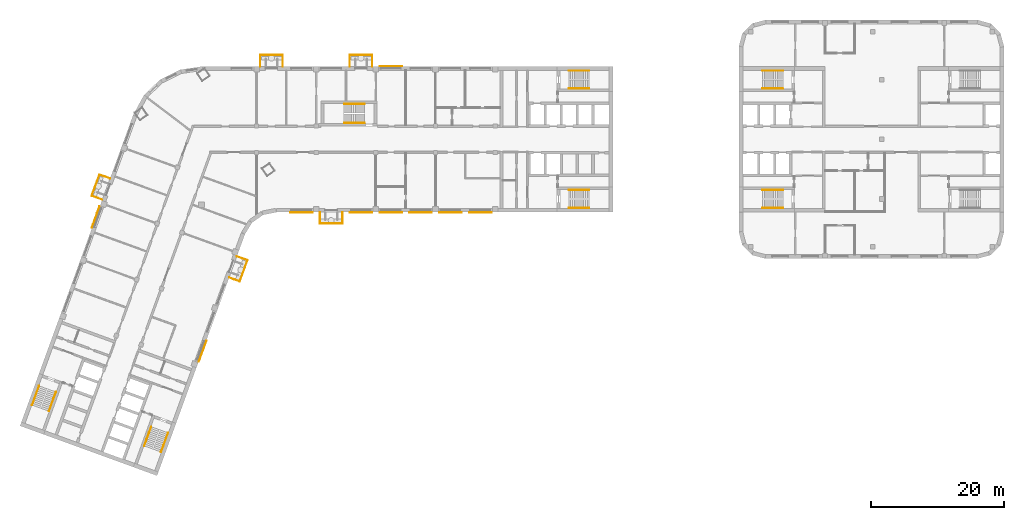
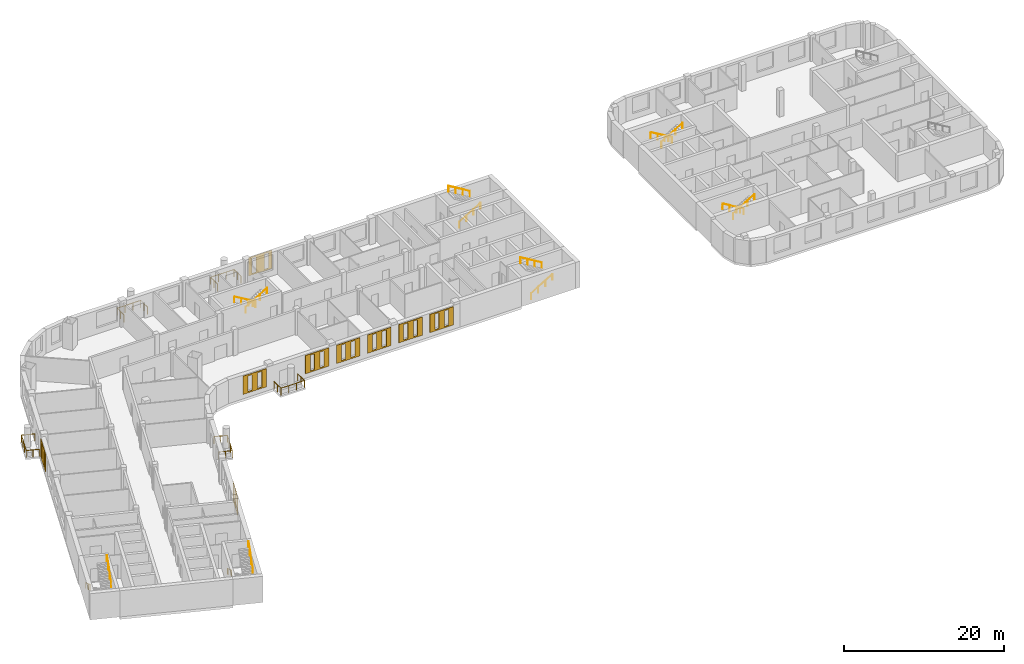
# One storey, part 13 of 16: 19 railings, 9 coverings.
"""IFC4 building model written with IfcOpenShell, lengths in metres."""

import ifcopenshell
import ifcopenshell.guid

model = None  # the IFC model being written
_history = None  # IfcOwnerHistory: only IFC2X3 demands one
_inside = {}  # id of a spatial element -> (the spatial element, [elements in it])
_under = {}  # id of a project, library or spatial element -> (it, [spatial elements below it])
_declared = {}  # id of a project -> (the project, [libraries it declares])
_typed = {}  # id of a type object -> (the type object, [elements of that type])
_made_of = {}  # id of a material, layer set ... -> (it, [elements and type objects made of it])


def new_model(schema):
    """Start an empty IFC model of exactly this schema.

    Asked for "IFC4X3", IfcOpenShell would pick the latest addendum, in which some entities
    have other attributes; the version numbers below select the first issue.
    IFC2X3 requires an IfcOwnerHistory on every rooted entity: one is made here for all.
    """
    global model, _history
    if schema == "IFC4X3":
        model = ifcopenshell.file(schema_version=(4, 3, 0, 0))
    else:
        model = ifcopenshell.file(schema=schema)
    _inside.clear()
    _under.clear()
    _declared.clear()
    _typed.clear()
    _made_of.clear()
    _history = None
    if model.schema == "IFC2X3":
        org = make("IfcOrganization", Name="unknown")
        user = make(
            "IfcPersonAndOrganization",
            ThePerson=make("IfcPerson", FamilyName="unknown"),
            TheOrganization=org,
        )
        app = make(
            "IfcApplication",
            ApplicationDeveloper=org,
            Version="unknown",
            ApplicationFullName="unknown",
            ApplicationIdentifier="unknown",
        )
        _history = make(
            "IfcOwnerHistory",
            OwningUser=user,
            OwningApplication=app,
            ChangeAction="ADDED",
            CreationDate=0,
        )
    return model


def make(cls, **values):
    """One entity of the class cls with the attributes given. An attribute that is None is left unset."""
    return model.create_entity(
        cls, **{name: value for name, value in values.items() if value is not None}
    )


def rooted(cls, **values):
    """An entity with a GlobalId (a new one), such as an element, a storey or a relation."""
    return make(cls, GlobalId=ifcopenshell.guid.new(), OwnerHistory=_history, **values)


def si_unit(unit_type, name, prefix=None):
    """IfcSIUnit, for example si_unit("LENGTHUNIT", "METRE", prefix="MILLI")."""
    return make("IfcSIUnit", UnitType=unit_type, Prefix=prefix, Name=name)


def assignment(units):
    """IfcUnitAssignment: the units of a project."""
    return None if units is None else make("IfcUnitAssignment", Units=units)


def point(xyz):
    """IfcCartesianPoint."""
    return None if xyz is None else make("IfcCartesianPoint", Coordinates=xyz)


def direction(xyz):
    """IfcDirection."""
    return None if xyz is None else make("IfcDirection", DirectionRatios=xyz)


def frame(location, z_axis=None, x_axis=None):
    """IfcAxis2Placement3D, a coordinate frame: its origin and axes. An axis left out is left unset."""
    return make(
        "IfcAxis2Placement3D",
        Location=point(location),
        Axis=direction(z_axis),
        RefDirection=direction(x_axis),
    )


def frame_2d(location, x_axis=None):
    """IfcAxis2Placement2D, a coordinate frame in the plane: its origin and x axis."""
    return make(
        "IfcAxis2Placement2D", Location=point(location), RefDirection=direction(x_axis)
    )


def origin():
    """The frame at (0, 0, 0) with its axes left unset."""
    return frame((0.0, 0.0, 0.0))


def origin_2d():
    """The frame at (0, 0) in the plane with its x axis left unset."""
    return frame_2d((0.0, 0.0))


def place(relative_to, where):
    """IfcLocalPlacement: puts the frame where relative to a parent placement (None: the world)."""
    return make(
        "IfcLocalPlacement", PlacementRelTo=relative_to, RelativePlacement=where
    )


def context(
    kind, dimensions, precision=None, world=None, true_north=None, identifier=None
):
    """IfcGeometricRepresentationContext, for example the 3D "Model" context."""
    return make(
        "IfcGeometricRepresentationContext",
        ContextIdentifier=identifier,
        ContextType=kind,
        CoordinateSpaceDimension=dimensions,
        Precision=precision,
        WorldCoordinateSystem=world,
        TrueNorth=true_north,
    )


def subcontext(parent, identifier, kind, view, scale=None):
    """IfcGeometricRepresentationSubContext, for example "Body" below "Model"."""
    return make(
        "IfcGeometricRepresentationSubContext",
        ContextIdentifier=identifier,
        ContextType=kind,
        ParentContext=parent,
        TargetScale=scale,
        TargetView=view,
    )


def project(units=None, contexts=None):
    """IfcProject with its units and contexts."""
    return rooted(
        "IfcProject",
        Name="project",
        RepresentationContexts=contexts,
        UnitsInContext=assignment(units),
    )


def spatial(cls, under=None, at=None, **own):
    """A site, building, storey or space (cls), placed at a placement, below another one or the project."""
    s = rooted(cls, ObjectPlacement=at, **own)
    if under is not None:
        _under.setdefault(under.id(), (under, []))[1].append(s)
    return s


def polyline(points):
    """IfcPolyline through the points."""
    return make("IfcPolyline", Points=[point(p) for p in points])


def profile(cls, at=None, kind="AREA", **sizes):
    """A parametric profile (cls). Its sizes go by their IFC names, for example OverallWidth=200.0."""
    return make(cls, ProfileType=kind, Position=at, **sizes)


def circle(**sizes):
    """IfcCircleProfileDef."""
    return profile("IfcCircleProfileDef", **sizes)


def outline(outer, holes=None, kind="AREA"):
    """IfcArbitraryClosedProfileDef: a profile drawn as a closed curve; with holes, ...WithVoids."""
    if holes is None:
        return make("IfcArbitraryClosedProfileDef", ProfileType=kind, OuterCurve=outer)
    return make(
        "IfcArbitraryProfileDefWithVoids",
        ProfileType=kind,
        OuterCurve=outer,
        InnerCurves=holes,
    )


def extrude(swept, where, along, depth):
    """IfcExtrudedAreaSolid: the profile swept, set in the frame where, extruded along a direction by depth."""
    return make(
        "IfcExtrudedAreaSolid",
        SweptArea=swept,
        Position=where,
        ExtrudedDirection=direction(along),
        Depth=depth,
    )


def shape(context_of_items, identifier, shape_type, items):
    """IfcShapeRepresentation: the items that make up one representation, for example the "Body"."""
    return make(
        "IfcShapeRepresentation",
        ContextOfItems=context_of_items,
        RepresentationIdentifier=identifier,
        RepresentationType=shape_type,
        Items=items,
    )


def material(Name=None, Category=None):
    """IfcMaterial."""
    return make("IfcMaterial", Name=Name, Category=Category)


def material_profile(
    of_material, cross_section, Name=None, Category=None, Priority=None
):
    """IfcMaterialProfile: a cross section and its material."""
    return make(
        "IfcMaterialProfile",
        Name=Name,
        Material=of_material,
        Profile=cross_section,
        Priority=Priority,
        Category=Category,
    )


def profile_set(profiles, Name=None, composite=None):
    """IfcMaterialProfileSet."""
    return make(
        "IfcMaterialProfileSet",
        Name=Name,
        MaterialProfiles=profiles,
        CompositeProfile=composite,
    )


def made_of(thing, what):
    """Note that an element or type object is made of a material, layer set ...; save() writes the relation."""
    if what is not None:
        _made_of.setdefault(what.id(), (what, []))[1].append(thing)
    return thing


def type_object(cls, material=None, **own):
    """A type object (cls), such as IfcWallType, which elements share."""
    return made_of(rooted(cls, **own), material)


def element(
    cls,
    number,
    at=None,
    inside=None,
    cuts=None,
    type_object=None,
    material=None,
    context=None,
    identifier="Body",
    shape_type=None,
    held_by="IfcProductDefinitionShape",
    body=None,
    shapes=None,
    **own,
):
    """One element of the class cls, such as IfcWall. Its Tag is "e" and its number.

    at: its placement. inside: the storey or other place that contains it. cuts: it is an
    opening in that element (IfcRelVoidsElement). A single representation is given by context,
    identifier, shape_type and body (its items); several are given by shapes. held_by: the class
    of the entity that holds the representations. save() writes the other relations.
    """
    e = rooted(cls, Tag="e%d" % number, ObjectPlacement=at, **own)
    if body is not None:
        shapes = [shape(context, identifier, shape_type, body)]
    if shapes is not None:
        e.Representation = make(held_by, Representations=shapes)
    if inside is not None:
        _inside.setdefault(inside.id(), (inside, []))[1].append(e)
    if cuts is not None:
        rooted(
            "IfcRelVoidsElement", RelatingBuildingElement=cuts, RelatedOpeningElement=e
        )
    if type_object is not None:
        _typed.setdefault(type_object.id(), (type_object, []))[1].append(e)
    return made_of(e, material)


def aggregate(whole, parts):
    """IfcRelAggregates: a whole, such as a stair, and the parts it consists of."""
    return rooted("IfcRelAggregates", RelatingObject=whole, RelatedObjects=parts)


def save(model, path):
    """Write the relations noted so far, then the file.

    IfcRelAggregates (storeys below a building ...), IfcRelContainedInSpatialStructure (elements
    in a storey), IfcRelDefinesByType, IfcRelAssociatesMaterial and IfcRelDeclares: one each for
    every whole, place, type object, material and project.
    """
    for whole, parts in _under.values():
        aggregate(whole, parts)
    for where, things in _inside.values():
        rooted(
            "IfcRelContainedInSpatialStructure",
            RelatedElements=things,
            RelatingStructure=where,
        )
    for kind, things in _typed.values():
        rooted("IfcRelDefinesByType", RelatedObjects=things, RelatingType=kind)
    for what, things in _made_of.values():
        rooted("IfcRelAssociatesMaterial", RelatedObjects=things, RelatingMaterial=what)
    for by, libraries in _declared.values():
        rooted("IfcRelDeclares", RelatingContext=by, RelatedDefinitions=libraries)
    model.write(path)


model = new_model("IFC4")

# Units and contexts
model_context = context("Model", 3, precision=1e-05, world=origin(), true_north=direction((0.0, 1.0)))
body_context = subcontext(model_context, "Body", "Model", "MODEL_VIEW")
ifc_project = project(units=[si_unit("LENGTHUNIT", "METRE"), si_unit("AREAUNIT", "SQUARE_METRE"), si_unit("VOLUMEUNIT", "CUBIC_METRE"), si_unit("PLANEANGLEUNIT", "RADIAN"), si_unit("MASSUNIT", "GRAM", prefix="KILO")], contexts=[model_context])

# Site, building, storey
site_placement = place(None, origin())
site = spatial("IfcSite", under=ifc_project, at=site_placement, CompositionType="ELEMENT")
building_placement = place(site_placement, origin())
building = spatial("IfcBuilding", under=site, at=building_placement, Name="Skarvind Civic Tower", CompositionType="ELEMENT")
storey_placement = place(building_placement, frame((0.0, 0.0, 81.0)))
storey = spatial("IfcBuildingStorey", under=building, at=storey_placement, Name="L18", CompositionType="ELEMENT", Elevation=81.0)

# Railings
ifc_material_1 = material(Name="Stainless steel balustrade", Category="steel")
railing_type_1 = type_object("IfcRailingType", Name="GR1 GUARD 1100", PredefinedType="GUARDRAIL", material=ifc_material_1)
railing_1_placement = place(storey_placement, frame((51.274658203125, 110.330322265625, 0.0)))
element("IfcRailing", 1, at=railing_1_placement, inside=storey, type_object=railing_type_1, Name="TREE BALCONY GUARD", PredefinedType="GUARDRAIL", context=body_context, shape_type="SweptSolid", body=[
    extrude(circle(Radius=0.02392578125, at=origin_2d()), frame((0.0, 0.0, 1.076171875), z_axis=(0.939684369409, -0.342042812948, 0.0), x_axis=(0.342042812948, 0.939684369409, 0.0)), (0.0, 0.0, 1.0), 1.7001953125),
    extrude(circle(Radius=0.02392578125, at=origin_2d()), frame((1.59765625, -0.58154296875, 1.076171875), z_axis=(-0.342088971896, -0.93966756638, 0.0), x_axis=(0.93966756638, -0.342088971896, 0.0)), (0.0, 0.0, 1.0), 3.39990234375),
    extrude(circle(Radius=0.02392578125, at=origin_2d()), frame((0.4345703125, -3.7763671875, 1.076171875), z_axis=(-0.93966756638, 0.342088971896, 0.0), x_axis=(-0.342088971896, -0.93966756638, 0.0)), (0.0, 0.0, 1.0), 1.699951171875),
    extrude(circle(Radius=0.02099609375, at=origin_2d()), origin(), (0.0, 0.0, 1.0), 1.052001953125),
    extrude(circle(Radius=0.02099609375, at=origin_2d()), frame((0.798828125, -0.290771484375, 0.0)), (0.0, 0.0, 1.0), 1.052001953125),
    extrude(circle(Radius=0.02099609375, at=origin_2d()), frame((1.59765625, -0.58154296875, 0.0)), (0.0, 0.0, 1.0), 1.052001953125),
    extrude(circle(Radius=0.02099609375, at=origin_2d()), frame((1.2099609375, -1.646484375, 0.0)), (0.0, 0.0, 1.0), 1.052001953125),
    extrude(circle(Radius=0.02099609375, at=origin_2d()), frame((0.822265625, -2.71142578125, 0.0)), (0.0, 0.0, 1.0), 1.052001953125),
    extrude(circle(Radius=0.02099609375, at=origin_2d()), frame((0.4345703125, -3.7763671875, 0.0)), (0.0, 0.0, 1.0), 1.052001953125),
    extrude(circle(Radius=0.02099609375, at=origin_2d()), frame((-0.3642578125, -3.485595703125, 0.0)), (0.0, 0.0, 1.0), 1.052001953125),
    extrude(circle(Radius=0.02099609375, at=origin_2d()), frame((-1.162841796875, -3.19482421875, 0.0)), (0.0, 0.0, 1.0), 1.052001953125),
])
railing_2_placement = place(storey_placement, frame((67.199951171875, 117.0, 0.0)))
element("IfcRailing", 2, at=railing_2_placement, inside=storey, type_object=railing_type_1, Name="TREE BALCONY GUARD", PredefinedType="GUARDRAIL", context=body_context, shape_type="SweptSolid", body=[
    extrude(circle(Radius=0.02392578125, at=origin_2d()), frame((0.0, 0.0, 1.076171875), z_axis=(0.0, -1.0, 0.0), x_axis=(1.0, 0.0, 0.0)), (0.0, 0.0, 1.0), 1.699951171875),
    extrude(circle(Radius=0.02392578125, at=origin_2d()), frame((0.0, -1.699951171875, 1.076171875), z_axis=(-1.0, 0.0, 0.0), x_axis=(0.0, -1.0, 0.0)), (0.0, 0.0, 1.0), 3.39990234375),
    extrude(circle(Radius=0.02392578125, at=origin_2d()), frame((-3.39990234375, -1.699951171875, 1.076171875), z_axis=(0.0, 1.0, 0.0), x_axis=(-1.0, 0.0, 0.0)), (0.0, 0.0, 1.0), 1.699951171875),
    extrude(circle(Radius=0.02099609375, at=origin_2d()), origin(), (0.0, 0.0, 1.0), 1.052001953125),
    extrude(circle(Radius=0.02099609375, at=origin_2d()), frame((0.0, -0.85009765625, 0.0)), (0.0, 0.0, 1.0), 1.052001953125),
    extrude(circle(Radius=0.02099609375, at=origin_2d()), frame((0.0, -1.699951171875, 0.0)), (0.0, 0.0, 1.0), 1.052001953125),
    extrude(circle(Radius=0.02099609375, at=origin_2d()), frame((-1.13330078125, -1.699951171875, 0.0)), (0.0, 0.0, 1.0), 1.052001953125),
    extrude(circle(Radius=0.02099609375, at=origin_2d()), frame((-2.2666015625, -1.699951171875, 0.0)), (0.0, 0.0, 1.0), 1.052001953125),
    extrude(circle(Radius=0.02099609375, at=origin_2d()), frame((-3.39990234375, -1.699951171875, 0.0)), (0.0, 0.0, 1.0), 1.052001953125),
    extrude(circle(Radius=0.02099609375, at=origin_2d()), frame((-3.39990234375, -0.85009765625, 0.0)), (0.0, 0.0, 1.0), 1.052001953125),
    extrude(circle(Radius=0.02099609375, at=origin_2d()), frame((-3.39990234375, 0.0, 0.0)), (0.0, 0.0, 1.0), 1.052001953125),
])
for number, where, name in (
    (3, (54.800048828125, 139.0, 0.0), "TREE BALCONY GUARD"),
    (4, (68.300048828125, 139.0, 0.0), "TREE BALCONY GUARD"),
):
    element("IfcRailing", number, at=place(storey_placement, frame(where)), inside=storey, type_object=railing_type_1, Name=name, PredefinedType="GUARDRAIL", context=body_context, shape_type="SweptSolid", body=[
        extrude(circle(Radius=0.02392578125, at=origin_2d()), frame((0.0, 0.0, 1.076171875), z_axis=(0.0, 1.0, 0.0), x_axis=(-1.0, 0.0, 0.0)), (0.0, 0.0, 1.0), 1.699951171875),
        extrude(circle(Radius=0.02392578125, at=origin_2d()), frame((0.0, 1.699951171875, 1.076171875), z_axis=(1.0, 0.0, 0.0), x_axis=(0.0, 1.0, 0.0)), (0.0, 0.0, 1.0), 3.39990234375),
        extrude(circle(Radius=0.02392578125, at=origin_2d()), frame((3.39990234375, 1.699951171875, 1.076171875), z_axis=(0.0, -1.0, 0.0), x_axis=(1.0, 0.0, 0.0)), (0.0, 0.0, 1.0), 1.699951171875),
        extrude(circle(Radius=0.02099609375, at=origin_2d()), origin(), (0.0, 0.0, 1.0), 1.052001953125),
        extrude(circle(Radius=0.02099609375, at=origin_2d()), frame((0.0, 0.85009765625, 0.0)), (0.0, 0.0, 1.0), 1.052001953125),
        extrude(circle(Radius=0.02099609375, at=origin_2d()), frame((0.0, 1.699951171875, 0.0)), (0.0, 0.0, 1.0), 1.052001953125),
        extrude(circle(Radius=0.02099609375, at=origin_2d()), frame((1.13330078125, 1.699951171875, 0.0)), (0.0, 0.0, 1.0), 1.052001953125),
        extrude(circle(Radius=0.02099609375, at=origin_2d()), frame((2.2666015625, 1.699951171875, 0.0)), (0.0, 0.0, 1.0), 1.052001953125),
        extrude(circle(Radius=0.02099609375, at=origin_2d()), frame((3.39990234375, 1.699951171875, 0.0)), (0.0, 0.0, 1.0), 1.052001953125),
        extrude(circle(Radius=0.02099609375, at=origin_2d()), frame((3.39990234375, 0.85009765625, 0.0)), (0.0, 0.0, 1.0), 1.052001953125),
        extrude(circle(Radius=0.02099609375, at=origin_2d()), frame((3.39990234375, 0.0, 0.0)), (0.0, 0.0, 1.0), 1.052001953125),
    ])
railing_3_placement = place(storey_placement, frame((30.977783203125, 118.888427734375, 0.0)))
element("IfcRailing", 5, at=railing_3_placement, inside=storey, type_object=railing_type_1, Name="TREE BALCONY GUARD", PredefinedType="GUARDRAIL", context=body_context, shape_type="SweptSolid", body=[
    extrude(circle(Radius=0.02392578125, at=origin_2d()), frame((0.0, 0.0, 1.076171875), z_axis=(-0.939684369409, 0.342042812948, 0.0), x_axis=(-0.342042812948, -0.939684369409, 0.0)), (0.0, 0.0, 1.0), 1.7001953125),
    extrude(circle(Radius=0.02392578125, at=origin_2d()), frame((-1.59765625, 0.58154296875, 1.076171875), z_axis=(0.342088971896, 0.93966756638, 0.0), x_axis=(-0.93966756638, 0.342088971896, 0.0)), (0.0, 0.0, 1.0), 3.39990234375),
    extrude(circle(Radius=0.02392578125, at=origin_2d()), frame((-0.4345703125, 3.7763671875, 1.076171875), z_axis=(0.939713724856, -0.341962154804, 0.0), x_axis=(0.341962154804, 0.939713724856, 0.0)), (0.0, 0.0, 1.0), 1.699951171875),
    extrude(circle(Radius=0.02099609375, at=origin_2d()), origin(), (0.0, 0.0, 1.0), 1.052001953125),
    extrude(circle(Radius=0.02099609375, at=origin_2d()), frame((-0.798828125, 0.290771484375, 0.0)), (0.0, 0.0, 1.0), 1.052001953125),
    extrude(circle(Radius=0.02099609375, at=origin_2d()), frame((-1.59765625, 0.58154296875, 0.0)), (0.0, 0.0, 1.0), 1.052001953125),
    extrude(circle(Radius=0.02099609375, at=origin_2d()), frame((-1.2099609375, 1.646484375, 0.0)), (0.0, 0.0, 1.0), 1.052001953125),
    extrude(circle(Radius=0.02099609375, at=origin_2d()), frame((-0.822265625, 2.71142578125, 0.0)), (0.0, 0.0, 1.0), 1.052001953125),
    extrude(circle(Radius=0.02099609375, at=origin_2d()), frame((-0.4345703125, 3.7763671875, 0.0)), (0.0, 0.0, 1.0), 1.052001953125),
    extrude(circle(Radius=0.02099609375, at=origin_2d()), frame((0.3642578125, 3.48583984375, 0.0)), (0.0, 0.0, 1.0), 1.052001953125),
    extrude(circle(Radius=0.02099609375, at=origin_2d()), frame((1.162841796875, 3.195068359375, 0.0)), (0.0, 0.0, 1.0), 1.052001953125),
])
ifc_material_2 = material(Name="Painted steel handrail", Category="steel")
railing_type_2 = type_object("IfcRailingType", Name="Stair handrail 900", PredefinedType="HANDRAIL", material=ifc_material_2)
railing_4_placement = place(storey_placement, frame((101.35009765625, 135.64990234375, 0.166748046875)))
element("IfcRailing", 6, at=railing_4_placement, inside=storey, type_object=railing_type_2, Name="Stair handrail", PredefinedType="HANDRAIL", context=body_context, shape_type="SweptSolid", body=[
    extrude(circle(Radius=0.02392578125, at=origin_2d()), frame((0.0, 0.0, 0.8759765625), z_axis=(0.859290745958, 0.0, 0.51148745235), x_axis=(0.0, 1.0, 0.0)), (0.0, 0.0, 1.0), 3.584228515625),
    extrude(circle(Radius=0.02099609375, at=origin_2d()), origin(), (0.0, 0.0, 1.0), 0.851806640625),
    extrude(circle(Radius=0.02099609375, at=origin_2d()), frame((1.026611328125, 0.0, 0.611083984375)), (0.0, 0.0, 1.0), 0.851806640625),
    extrude(circle(Radius=0.02099609375, at=origin_2d()), frame((2.05322265625, 0.0, 1.22216796875)), (0.0, 0.0, 1.0), 0.851806640625),
    extrude(circle(Radius=0.02099609375, at=origin_2d()), frame((3.079833984375, 0.0, 1.833251953125)), (0.0, 0.0, 1.0), 0.851806640625),
])
railing_5_placement = place(storey_placement, frame((104.429931640625, 138.35009765625, 2.166748046875)))
element("IfcRailing", 7, at=railing_5_placement, inside=storey, type_object=railing_type_2, Name="Stair handrail", PredefinedType="HANDRAIL", context=body_context, shape_type="SweptSolid", body=[
    extrude(circle(Radius=0.02392578125, at=origin_2d()), frame((0.0, 0.0, 0.8759765625), z_axis=(-0.859290745958, 0.0, 0.51148745235), x_axis=(0.0, -1.0, 0.0)), (0.0, 0.0, 1.0), 3.584228515625),
    extrude(circle(Radius=0.02099609375, at=origin_2d()), origin(), (0.0, 0.0, 1.0), 0.851806640625),
    extrude(circle(Radius=0.02099609375, at=origin_2d()), frame((-1.026611328125, 0.0, 0.611083984375)), (0.0, 0.0, 1.0), 0.851806640625),
    extrude(circle(Radius=0.02099609375, at=origin_2d()), frame((-2.05322265625, 0.0, 1.22216796875)), (0.0, 0.0, 1.0), 0.851806640625),
    extrude(circle(Radius=0.02099609375, at=origin_2d()), frame((-3.079833984375, 0.0, 1.833251953125)), (0.0, 0.0, 1.0), 0.851806640625),
])
railing_6_placement = place(storey_placement, frame((101.35009765625, 117.64990234375, 0.166748046875)))
element("IfcRailing", 8, at=railing_6_placement, inside=storey, type_object=railing_type_2, Name="Stair handrail", PredefinedType="HANDRAIL", context=body_context, shape_type="SweptSolid", body=[
    extrude(circle(Radius=0.02392578125, at=origin_2d()), frame((0.0, 0.0, 0.8759765625), z_axis=(0.859290745958, 0.0, 0.51148745235), x_axis=(0.0, 1.0, 0.0)), (0.0, 0.0, 1.0), 3.584228515625),
    extrude(circle(Radius=0.02099609375, at=origin_2d()), origin(), (0.0, 0.0, 1.0), 0.851806640625),
    extrude(circle(Radius=0.02099609375, at=origin_2d()), frame((1.026611328125, 0.0, 0.611083984375)), (0.0, 0.0, 1.0), 0.851806640625),
    extrude(circle(Radius=0.02099609375, at=origin_2d()), frame((2.05322265625, 0.0, 1.22216796875)), (0.0, 0.0, 1.0), 0.851806640625),
    extrude(circle(Radius=0.02099609375, at=origin_2d()), frame((3.079833984375, 0.0, 1.833251953125)), (0.0, 0.0, 1.0), 0.851806640625),
])
railing_7_placement = place(storey_placement, frame((104.429931640625, 120.35009765625, 2.166748046875)))
element("IfcRailing", 9, at=railing_7_placement, inside=storey, type_object=railing_type_2, Name="Stair handrail", PredefinedType="HANDRAIL", context=body_context, shape_type="SweptSolid", body=[
    extrude(circle(Radius=0.02392578125, at=origin_2d()), frame((0.0, 0.0, 0.8759765625), z_axis=(-0.859290745958, 0.0, 0.51148745235), x_axis=(0.0, -1.0, 0.0)), (0.0, 0.0, 1.0), 3.584228515625),
    extrude(circle(Radius=0.02099609375, at=origin_2d()), origin(), (0.0, 0.0, 1.0), 0.851806640625),
    extrude(circle(Radius=0.02099609375, at=origin_2d()), frame((-1.026611328125, 0.0, 0.611083984375)), (0.0, 0.0, 1.0), 0.851806640625),
    extrude(circle(Radius=0.02099609375, at=origin_2d()), frame((-2.05322265625, 0.0, 1.22216796875)), (0.0, 0.0, 1.0), 0.851806640625),
    extrude(circle(Radius=0.02099609375, at=origin_2d()), frame((-3.079833984375, 0.0, 1.833251953125)), (0.0, 0.0, 1.0), 0.851806640625),
])
railing_8_placement = place(storey_placement, frame((38.362060546875, 84.64794921875, 0.166748046875)))
element("IfcRailing", 10, at=railing_8_placement, inside=storey, type_object=railing_type_2, Name="Stair handrail", PredefinedType="HANDRAIL", context=body_context, shape_type="SweptSolid", body=[
    extrude(circle(Radius=0.02392578125, at=origin_2d()), frame((0.0, 0.0, 0.8759765625), z_axis=(-0.293908055923, -0.807480881337, 0.511461319103), x_axis=(0.939689235759, -0.342029443467, 0.0)), (0.0, 0.0, 1.0), 3.584228515625),
    extrude(circle(Radius=0.02099609375, at=origin_2d()), origin(), (0.0, 0.0, 1.0), 0.851806640625),
    extrude(circle(Radius=0.02099609375, at=origin_2d()), frame((-0.35107421875, -0.96484375, 0.611083984375)), (0.0, 0.0, 1.0), 0.851806640625),
    extrude(circle(Radius=0.02099609375, at=origin_2d()), frame((-0.702392578125, -1.929443359375, 1.22216796875)), (0.0, 0.0, 1.0), 0.851806640625),
    extrude(circle(Radius=0.02099609375, at=origin_2d()), frame((-1.053466796875, -2.894287109375, 1.833251953125)), (0.0, 0.0, 1.0), 0.851806640625),
])
railing_9_placement = place(storey_placement, frame((39.845703125, 80.830078125, 2.166748046875)))
element("IfcRailing", 11, at=railing_9_placement, inside=storey, type_object=railing_type_2, Name="Stair handrail", PredefinedType="HANDRAIL", context=body_context, shape_type="SweptSolid", body=[
    extrude(circle(Radius=0.02392578125, at=origin_2d()), frame((0.0, 0.0, 0.8759765625), z_axis=(0.293908055923, 0.807480881337, 0.511461319103), x_axis=(-0.939689235759, 0.342029443467, 0.0)), (0.0, 0.0, 1.0), 3.584228515625),
    extrude(circle(Radius=0.02099609375, at=origin_2d()), origin(), (0.0, 0.0, 1.0), 0.851806640625),
    extrude(circle(Radius=0.02099609375, at=origin_2d()), frame((0.35107421875, 0.96484375, 0.611083984375)), (0.0, 0.0, 1.0), 0.851806640625),
    extrude(circle(Radius=0.02099609375, at=origin_2d()), frame((0.702392578125, 1.929443359375, 1.22216796875)), (0.0, 0.0, 1.0), 0.851806640625),
    extrude(circle(Radius=0.02099609375, at=origin_2d()), frame((1.053466796875, 2.894287109375, 1.833251953125)), (0.0, 0.0, 1.0), 0.851806640625),
])
railing_10_placement = place(storey_placement, frame((21.447509765625, 90.80419921875, 0.166748046875)))
element("IfcRailing", 12, at=railing_10_placement, inside=storey, type_object=railing_type_2, Name="Stair handrail", PredefinedType="HANDRAIL", context=body_context, shape_type="SweptSolid", body=[
    extrude(circle(Radius=0.02392578125, at=origin_2d()), frame((0.0, 0.0, 0.8759765625), z_axis=(-0.293845824691, -0.807497044902, 0.511471557163), x_axis=(0.939714709796, -0.34195944817, 0.0)), (0.0, 0.0, 1.0), 3.584228515625),
    extrude(circle(Radius=0.02099609375, at=origin_2d()), origin(), (0.0, 0.0, 1.0), 0.851806640625),
    extrude(circle(Radius=0.02099609375, at=origin_2d()), frame((-0.35107421875, -0.96484375, 0.611083984375)), (0.0, 0.0, 1.0), 0.851806640625),
    extrude(circle(Radius=0.02099609375, at=origin_2d()), frame((-0.7021484375, -1.929443359375, 1.22216796875)), (0.0, 0.0, 1.0), 0.851806640625),
    extrude(circle(Radius=0.02099609375, at=origin_2d()), frame((-1.05322265625, -2.894287109375, 1.833251953125)), (0.0, 0.0, 1.0), 0.851806640625),
])
railing_11_placement = place(storey_placement, frame((22.931396484375, 86.986572265625, 2.166748046875)))
element("IfcRailing", 13, at=railing_11_placement, inside=storey, type_object=railing_type_2, Name="Stair handrail", PredefinedType="HANDRAIL", context=body_context, shape_type="SweptSolid", body=[
    extrude(circle(Radius=0.02392578125, at=origin_2d()), frame((0.0, 0.0, 0.8759765625), z_axis=(0.293908055923, 0.807480881337, 0.511461319103), x_axis=(-0.939689235759, 0.342029443467, 0.0)), (0.0, 0.0, 1.0), 3.584228515625),
    extrude(circle(Radius=0.02099609375, at=origin_2d()), origin(), (0.0, 0.0, 1.0), 0.851806640625),
    extrude(circle(Radius=0.02099609375, at=origin_2d()), frame((0.35107421875, 0.96484375, 0.611083984375)), (0.0, 0.0, 1.0), 0.851806640625),
    extrude(circle(Radius=0.02099609375, at=origin_2d()), frame((0.702392578125, 1.929443359375, 1.22216796875)), (0.0, 0.0, 1.0), 0.851806640625),
    extrude(circle(Radius=0.02099609375, at=origin_2d()), frame((1.053466796875, 2.894287109375, 1.833251953125)), (0.0, 0.0, 1.0), 0.851806640625),
])
railing_12_placement = place(storey_placement, frame((133.64990234375, 120.35009765625, 0.166748046875)))
element("IfcRailing", 14, at=railing_12_placement, inside=storey, type_object=railing_type_2, Name="Stair handrail", PredefinedType="HANDRAIL", context=body_context, shape_type="SweptSolid", body=[
    extrude(circle(Radius=0.02392578125, at=origin_2d()), frame((0.0, 0.0, 0.8759765625), z_axis=(-0.859290745958, 0.0, 0.51148745235), x_axis=(0.0, -1.0, 0.0)), (0.0, 0.0, 1.0), 3.584228515625),
    extrude(circle(Radius=0.02099609375, at=origin_2d()), origin(), (0.0, 0.0, 1.0), 0.851806640625),
    extrude(circle(Radius=0.02099609375, at=origin_2d()), frame((-1.026611328125, 0.0, 0.611083984375)), (0.0, 0.0, 1.0), 0.851806640625),
    extrude(circle(Radius=0.02099609375, at=origin_2d()), frame((-2.05322265625, 0.0, 1.22216796875)), (0.0, 0.0, 1.0), 0.851806640625),
    extrude(circle(Radius=0.02099609375, at=origin_2d()), frame((-3.079833984375, 0.0, 1.833251953125)), (0.0, 0.0, 1.0), 0.851806640625),
])
railing_13_placement = place(storey_placement, frame((130.570068359375, 117.64990234375, 2.166748046875)))
element("IfcRailing", 15, at=railing_13_placement, inside=storey, type_object=railing_type_2, Name="Stair handrail", PredefinedType="HANDRAIL", context=body_context, shape_type="SweptSolid", body=[
    extrude(circle(Radius=0.02392578125, at=origin_2d()), frame((0.0, 0.0, 0.8759765625), z_axis=(0.859290745958, 0.0, 0.51148745235), x_axis=(0.0, 1.0, 0.0)), (0.0, 0.0, 1.0), 3.584228515625),
    extrude(circle(Radius=0.02099609375, at=origin_2d()), origin(), (0.0, 0.0, 1.0), 0.851806640625),
    extrude(circle(Radius=0.02099609375, at=origin_2d()), frame((1.026611328125, 0.0, 0.611083984375)), (0.0, 0.0, 1.0), 0.851806640625),
    extrude(circle(Radius=0.02099609375, at=origin_2d()), frame((2.05322265625, 0.0, 1.22216796875)), (0.0, 0.0, 1.0), 0.851806640625),
    extrude(circle(Radius=0.02099609375, at=origin_2d()), frame((3.079833984375, 0.0, 1.833251953125)), (0.0, 0.0, 1.0), 0.851806640625),
])
railing_14_placement = place(storey_placement, frame((133.64990234375, 138.35009765625, 0.166748046875)))
element("IfcRailing", 16, at=railing_14_placement, inside=storey, type_object=railing_type_2, Name="Stair handrail", PredefinedType="HANDRAIL", context=body_context, shape_type="SweptSolid", body=[
    extrude(circle(Radius=0.02392578125, at=origin_2d()), frame((0.0, 0.0, 0.8759765625), z_axis=(-0.859290745958, 0.0, 0.51148745235), x_axis=(0.0, -1.0, 0.0)), (0.0, 0.0, 1.0), 3.584228515625),
    extrude(circle(Radius=0.02099609375, at=origin_2d()), origin(), (0.0, 0.0, 1.0), 0.851806640625),
    extrude(circle(Radius=0.02099609375, at=origin_2d()), frame((-1.026611328125, 0.0, 0.611083984375)), (0.0, 0.0, 1.0), 0.851806640625),
    extrude(circle(Radius=0.02099609375, at=origin_2d()), frame((-2.05322265625, 0.0, 1.22216796875)), (0.0, 0.0, 1.0), 0.851806640625),
    extrude(circle(Radius=0.02099609375, at=origin_2d()), frame((-3.079833984375, 0.0, 1.833251953125)), (0.0, 0.0, 1.0), 0.851806640625),
])
railing_15_placement = place(storey_placement, frame((130.570068359375, 135.64990234375, 2.166748046875)))
element("IfcRailing", 17, at=railing_15_placement, inside=storey, type_object=railing_type_2, Name="Stair handrail", PredefinedType="HANDRAIL", context=body_context, shape_type="SweptSolid", body=[
    extrude(circle(Radius=0.02392578125, at=origin_2d()), frame((0.0, 0.0, 0.8759765625), z_axis=(0.859290745958, 0.0, 0.51148745235), x_axis=(0.0, 1.0, 0.0)), (0.0, 0.0, 1.0), 3.584228515625),
    extrude(circle(Radius=0.02099609375, at=origin_2d()), origin(), (0.0, 0.0, 1.0), 0.851806640625),
    extrude(circle(Radius=0.02099609375, at=origin_2d()), frame((1.026611328125, 0.0, 0.611083984375)), (0.0, 0.0, 1.0), 0.851806640625),
    extrude(circle(Radius=0.02099609375, at=origin_2d()), frame((2.05322265625, 0.0, 1.22216796875)), (0.0, 0.0, 1.0), 0.851806640625),
    extrude(circle(Radius=0.02099609375, at=origin_2d()), frame((3.079833984375, 0.0, 1.833251953125)), (0.0, 0.0, 1.0), 0.851806640625),
])
railing_16_placement = place(storey_placement, frame((70.550048828125, 133.35009765625, 0.166748046875)))
element("IfcRailing", 18, at=railing_16_placement, inside=storey, type_object=railing_type_2, Name="Stair handrail", PredefinedType="HANDRAIL", context=body_context, shape_type="SweptSolid", body=[
    extrude(circle(Radius=0.02392578125, at=origin_2d()), frame((0.0, 0.0, 0.8759765625), z_axis=(-0.859308565015, 0.0, 0.511457515432), x_axis=(0.0, -1.0, 0.0)), (0.0, 0.0, 1.0), 3.58447265625),
    extrude(circle(Radius=0.02099609375, at=origin_2d()), origin(), (0.0, 0.0, 1.0), 0.851806640625),
    extrude(circle(Radius=0.02099609375, at=origin_2d()), frame((-1.026611328125, 0.0, 0.611083984375)), (0.0, 0.0, 1.0), 0.851806640625),
    extrude(circle(Radius=0.02099609375, at=origin_2d()), frame((-2.053466796875, 0.0, 1.22216796875)), (0.0, 0.0, 1.0), 0.851806640625),
    extrude(circle(Radius=0.02099609375, at=origin_2d()), frame((-3.080078125, 0.0, 1.833251953125)), (0.0, 0.0, 1.0), 0.851806640625),
])
railing_17_placement = place(storey_placement, frame((67.469970703125, 130.449951171875, 2.166748046875)))
element("IfcRailing", 19, at=railing_17_placement, inside=storey, type_object=railing_type_2, Name="Stair handrail", PredefinedType="HANDRAIL", context=body_context, shape_type="SweptSolid", body=[
    extrude(circle(Radius=0.02392578125, at=origin_2d()), frame((0.0, 0.0, 0.8759765625), z_axis=(0.859308565015, 0.0, 0.511457515432), x_axis=(0.0, 1.0, 0.0)), (0.0, 0.0, 1.0), 3.58447265625),
    extrude(circle(Radius=0.02099609375, at=origin_2d()), origin(), (0.0, 0.0, 1.0), 0.851806640625),
    extrude(circle(Radius=0.02099609375, at=origin_2d()), frame((1.026611328125, 0.0, 0.611083984375)), (0.0, 0.0, 1.0), 0.851806640625),
    extrude(circle(Radius=0.02099609375, at=origin_2d()), frame((2.053466796875, 0.0, 1.22216796875)), (0.0, 0.0, 1.0), 0.851806640625),
    extrude(circle(Radius=0.02099609375, at=origin_2d()), frame((3.080078125, 0.0, 1.833251953125)), (0.0, 0.0, 1.0), 0.851806640625),
])

# Coverings
ifc_material_3 = material(Name="Terracotta", Category="masonry")
ifc_material_profile_1 = material_profile(ifc_material_3, outline(polyline([(-1.699951171875, -1.39990234375), (1.699951171875, -1.39990234375), (1.699951171875, 1.39990234375), (-1.699951171875, 1.39990234375), (-1.699951171875, -1.39990234375)]), holes=[polyline([(-1.0, -1.18994140625), (-0.39990234375, -1.18994140625), (-0.39990234375, 1.18994140625), (-1.0, 1.18994140625), (-1.0, -1.18994140625)]), polyline([(0.39990234375, -1.18994140625), (1.0, -1.18994140625), (1.0, 1.18994140625), (0.39990234375, 1.18994140625), (0.39990234375, -1.18994140625)])]), Name="TERRACOTTA SCREEN 3400 x 2800, SLIT PITCH 1400")
ifc_profile_set_1 = profile_set([ifc_material_profile_1], Name="Terracotta")
covering_type_1 = type_object("IfcCoveringType", Name="TERRACOTTA SCREEN 3400 x 2800, SLIT PITCH 1400", PredefinedType="CLADDING", material=ifc_profile_set_1)
for number, where, z_axis, x_axis, name in (
    (20, (88.0, 117.0, 2.10009765625), (0.0, -1.0, 0.0), (1.0, 0.0, 0.0), "TERRACOTTA SCREEN"),
    (21, (83.5, 117.0, 2.10009765625), (0.0, -1.0, 0.0), (1.0, 0.0, 0.0), "TERRACOTTA SCREEN"),
    (22, (79.0, 117.0, 2.10009765625), (0.0, -1.0, 0.0), (1.0, 0.0, 0.0), "TERRACOTTA SCREEN"),
    (23, (74.5, 117.0, 2.10009765625), (0.0, -1.0, 0.0), (1.0, 0.0, 0.0), "TERRACOTTA SCREEN"),
    (24, (70.0, 117.0, 2.10009765625), (0.0, -1.0, 0.0), (1.0, 0.0, 0.0), "TERRACOTTA SCREEN"),
    (25, (61.0, 117.0, 2.10009765625), (0.0, -1.0, 0.0), (1.0, 0.0, 0.0), "TERRACOTTA SCREEN"),
):
    element("IfcCovering", number, at=place(storey_placement, frame(where, z_axis=z_axis, x_axis=x_axis)), inside=storey, type_object=covering_type_1, Name=name, PredefinedType="CLADDING", context=body_context, shape_type="SweptSolid", body=[
        extrude(outline(polyline([(-1.699951171875, -1.39990234375), (1.699951171875, -1.39990234375), (1.699951171875, 1.39990234375), (-1.699951171875, 1.39990234375), (-1.699951171875, -1.39990234375)]), holes=[polyline([(-1.0, -1.18994140625), (-0.39990234375, -1.18994140625), (-0.39990234375, 1.18994140625), (-1.0, 1.18994140625), (-1.0, -1.18994140625)]), polyline([(0.39990234375, -1.18994140625), (1.0, -1.18994140625), (1.0, 1.18994140625), (0.39990234375, 1.18994140625), (0.39990234375, -1.18994140625)])]), origin(), (0.0, 0.0, 1.0), 0.06005859375),
    ])
ifc_material_profile_2 = material_profile(ifc_material_3, outline(polyline([(-1.699951171875, -1.39990234375), (1.699951171875, -1.39990234375), (1.699951171875, 1.39990234375), (-1.699951171875, 1.39990234375), (-1.699951171875, -1.39990234375)]), holes=[polyline([(-1.199951171875, -1.18994140625), (-0.60009765625, -1.18994140625), (-0.60009765625, 1.18994140625), (-1.199951171875, 1.18994140625), (-1.199951171875, -1.18994140625)]), polyline([(0.60009765625, -1.18994140625), (1.199951171875, -1.18994140625), (1.199951171875, 1.18994140625), (0.60009765625, 1.18994140625), (0.60009765625, -1.18994140625)])]), Name="TERRACOTTA SCREEN 3400 x 2800, SLIT PITCH 1800")
ifc_profile_set_2 = profile_set([ifc_material_profile_2], Name="Terracotta")
covering_type_2 = type_object("IfcCoveringType", Name="TERRACOTTA SCREEN 3400 x 2800, SLIT PITCH 1800", PredefinedType="CLADDING", material=ifc_profile_set_2)
for number, where, z_axis, x_axis, name in (
    (26, (46.075927734375, 96.047119140625, 2.10009765625), (0.939793423488, -0.341743063087, 0.0), (0.341743063087, 0.939793423488, 0.0), "TERRACOTTA SCREEN"),
    (27, (74.5, 139.0, 2.10009765625), (0.0, 1.0, 0.0), (-1.0, 0.0, 0.0), "TERRACOTTA SCREEN"),
    (28, (30.02001953125, 116.25732421875, 2.10009765625), (-0.939793423488, 0.341743063087, 0.0), (-0.341743063087, -0.939793423488, 0.0), "TERRACOTTA SCREEN"),
):
    element("IfcCovering", number, at=place(storey_placement, frame(where, z_axis=z_axis, x_axis=x_axis)), inside=storey, type_object=covering_type_2, Name=name, PredefinedType="CLADDING", context=body_context, shape_type="SweptSolid", body=[
        extrude(outline(polyline([(-1.699951171875, -1.39990234375), (1.699951171875, -1.39990234375), (1.699951171875, 1.39990234375), (-1.699951171875, 1.39990234375), (-1.699951171875, -1.39990234375)]), holes=[polyline([(-1.199951171875, -1.18994140625), (-0.60009765625, -1.18994140625), (-0.60009765625, 1.18994140625), (-1.199951171875, 1.18994140625), (-1.199951171875, -1.18994140625)]), polyline([(0.60009765625, -1.18994140625), (1.199951171875, -1.18994140625), (1.199951171875, 1.18994140625), (0.60009765625, 1.18994140625), (0.60009765625, -1.18994140625)])]), origin(), (0.0, 0.0, 1.0), 0.06005859375),
    ])

save(model, "model.ifc")
